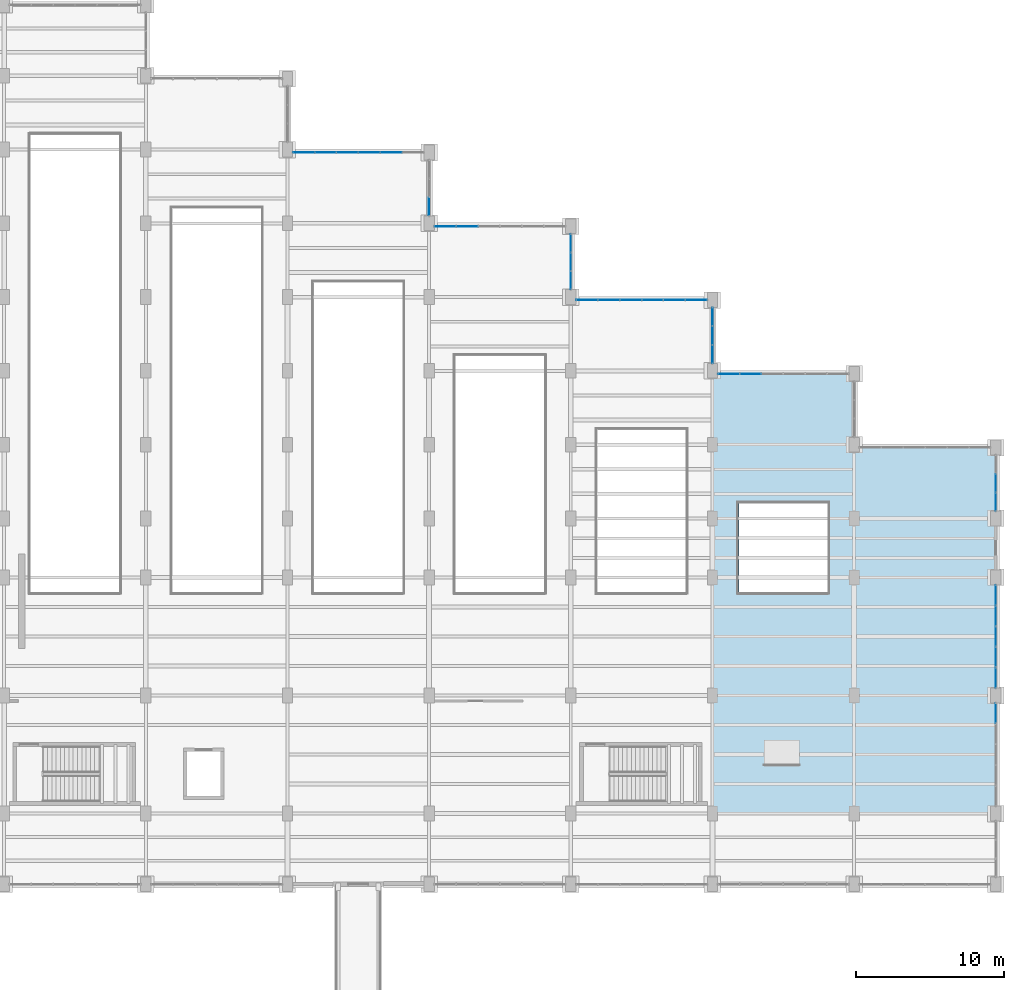
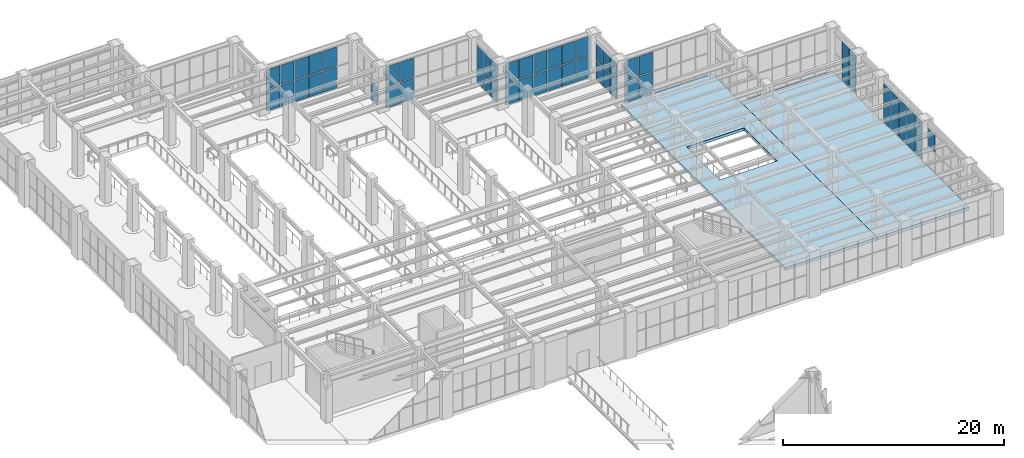
# One storey, part 138 of 174: 58 plates, 2 slabs, 10 elements without a shape of their own.
"""IFC4 building model written with IfcOpenShell, lengths in metres."""

from ifc_helpers import new_model, si_unit, direction, frame, origin, origin_2d, place, context, subcontext, project, spatial, polyline, rectangle, outline, extrude, material, layer, layer_set, type_object, element, aggregate, save


model = new_model("IFC4")

# Units and contexts
model_context = context("Model", 3, precision=1e-05, world=origin(), true_north=direction((0.0, 1.0)))
body_context = subcontext(model_context, "Body", "Model", "MODEL_VIEW")
ifc_project = project(units=[si_unit("LENGTHUNIT", "METRE"), si_unit("AREAUNIT", "SQUARE_METRE"), si_unit("VOLUMEUNIT", "CUBIC_METRE"), si_unit("PLANEANGLEUNIT", "RADIAN"), si_unit("MASSUNIT", "GRAM", prefix="KILO")], contexts=[model_context])

# Site, building, storey
site_placement = place(None, origin())
site = spatial("IfcSite", under=ifc_project, at=site_placement, CompositionType="ELEMENT")
building_placement = place(site_placement, origin())
building = spatial("IfcBuilding", under=site, at=building_placement, Name="Mavantir Sound Aquarium", CompositionType="ELEMENT")
storey_placement = place(building_placement, frame((0.0, 0.0, 5.39990234375)))
storey = spatial("IfcBuildingStorey", under=building, at=storey_placement, Name="L01", CompositionType="ELEMENT", Elevation=5.39990234375)

# Curtain wall, plates
ifc_material_1 = material(Name="Anodised Marine Aluminium and Low-E Glass", Category="aluminium")
curtain_wall_type_1 = type_object("IfcCurtainWallType", Name="CW-T09", PredefinedType="USERDEFINED", material=ifc_material_1)
curtain_wall_1_placement = place(storey_placement, origin())
curtain_wall_1 = element("IfcCurtainWall", 1, at=curtain_wall_1_placement, inside=storey, type_object=curtain_wall_type_1, Name="L01 unitised curtain wall CW-09 81", ObjectType="UNITISED GLAZING", PredefinedType="USERDEFINED")
ifc_material_2 = material(Name="Solar-Control Laminated Low-E Glass", Category="glass")
ifc_layer_1 = layer(ifc_material_2, 0.028076171875, Name="Solar-Control Laminated Low-E Glass")
ifc_layer_set_1 = layer_set([ifc_layer_1], Name="Solar-Control Laminated Low-E Glass")
plate_type_1 = type_object("IfcPlateType", Name="CW-PNL-28", PredefinedType="CURTAIN_PANEL", material=ifc_layer_set_1)
plate_1_placement = place(storey_placement, frame((146.39990234375, 76.938720703125, 0.10302734375), z_axis=(0.0, 0.0, 1.0), x_axis=(0.0, 1.0, 0.0)))
plate_1 = element("IfcPlate", 2, at=plate_1_placement, type_object=plate_type_1, Name="CW-L01-081 glazed curtain panel 1.1", PredefinedType="CURTAIN_PANEL", context=body_context, shape_type="SweptSolid", body=[
    extrude(rectangle(XDim=1.21337890625, YDim=0.028076171875, at=origin_2d()), origin(), (0.0, 0.0, 1.0), 2.072998046875),
])
plate_2_placement = place(storey_placement, frame((146.39990234375, 76.938720703125, 2.27197265625), z_axis=(0.0, 0.0, 1.0), x_axis=(0.0, 1.0, 0.0)))
plate_2 = element("IfcPlate", 3, at=plate_2_placement, type_object=plate_type_1, Name="CW-L01-081 glazed curtain panel 1.2", PredefinedType="CURTAIN_PANEL", context=body_context, shape_type="SweptSolid", body=[
    extrude(rectangle(XDim=1.21337890625, YDim=0.028076171875, at=origin_2d()), origin(), (0.0, 0.0, 1.0), 1.902099609375),
])
plate_3_placement = place(storey_placement, frame((146.39990234375, 78.199951171875, 0.10302734375), z_axis=(0.0, 0.0, 1.0), x_axis=(0.0, 1.0, 0.0)))
plate_3 = element("IfcPlate", 4, at=plate_3_placement, type_object=plate_type_1, Name="CW-L01-081 glazed curtain panel 2.1", PredefinedType="CURTAIN_PANEL", context=body_context, shape_type="SweptSolid", body=[
    extrude(rectangle(XDim=1.21337890625, YDim=0.028076171875, at=origin_2d()), origin(), (0.0, 0.0, 1.0), 2.072998046875),
])
plate_4_placement = place(storey_placement, frame((146.39990234375, 78.199951171875, 2.27197265625), z_axis=(0.0, 0.0, 1.0), x_axis=(0.0, 1.0, 0.0)))
plate_4 = element("IfcPlate", 5, at=plate_4_placement, type_object=plate_type_1, Name="CW-L01-081 glazed curtain panel 2.2", PredefinedType="CURTAIN_PANEL", context=body_context, shape_type="SweptSolid", body=[
    extrude(rectangle(XDim=1.21337890625, YDim=0.028076171875, at=origin_2d()), origin(), (0.0, 0.0, 1.0), 1.902099609375),
])
plate_5_placement = place(storey_placement, frame((146.39990234375, 79.461181640625, 0.10302734375), z_axis=(0.0, 0.0, 1.0), x_axis=(0.0, 1.0, 0.0)))
plate_5 = element("IfcPlate", 6, at=plate_5_placement, type_object=plate_type_1, Name="CW-L01-081 glazed curtain panel 3.1", PredefinedType="CURTAIN_PANEL", context=body_context, shape_type="SweptSolid", body=[
    extrude(rectangle(XDim=1.21337890625, YDim=0.028076171875, at=origin_2d()), origin(), (0.0, 0.0, 1.0), 2.072998046875),
])
plate_6_placement = place(storey_placement, frame((146.39990234375, 79.461181640625, 2.27197265625), z_axis=(0.0, 0.0, 1.0), x_axis=(0.0, 1.0, 0.0)))
plate_6 = element("IfcPlate", 7, at=plate_6_placement, type_object=plate_type_1, Name="CW-L01-081 glazed curtain panel 3.2", PredefinedType="CURTAIN_PANEL", context=body_context, shape_type="SweptSolid", body=[
    extrude(rectangle(XDim=1.21337890625, YDim=0.028076171875, at=origin_2d()), origin(), (0.0, 0.0, 1.0), 1.902099609375),
])
aggregate(curtain_wall_1, [plate_1, plate_2, plate_3, plate_4, plate_5, plate_6])

# Curtain wall, plate
curtain_wall_type_2 = type_object("IfcCurtainWallType", Name="CW-T11", PredefinedType="USERDEFINED", material=ifc_material_1)
curtain_wall_2_placement = place(storey_placement, origin())
curtain_wall_2 = element("IfcCurtainWall", 8, at=curtain_wall_2_placement, inside=storey, type_object=curtain_wall_type_2, Name="L01 unitised curtain wall CW-11 83", ObjectType="UNITISED GLAZING", PredefinedType="USERDEFINED")
plate_7_placement = place(storey_placement, frame((136.800048828125, 81.938720703125, 0.10302734375), z_axis=(0.0, 0.0, 1.0), x_axis=(0.0, 1.0, 0.0)))
plate_7 = element("IfcPlate", 9, at=plate_7_placement, type_object=plate_type_1, Name="CW-L01-083 glazed curtain panel 1.1", PredefinedType="CURTAIN_PANEL", context=body_context, shape_type="SweptSolid", body=[
    extrude(rectangle(XDim=1.21337890625, YDim=0.028076171875, at=origin_2d()), origin(), (0.0, 0.0, 1.0), 1.999267578125),
])
aggregate(curtain_wall_2, [plate_7])

curtain_wall_3_placement = place(storey_placement, origin())
curtain_wall_3 = element("IfcCurtainWall", 10, at=curtain_wall_3_placement, inside=storey, type_object=curtain_wall_type_1, Name="L01 unitised curtain wall CW-09 105", ObjectType="UNITISED GLAZING", PredefinedType="USERDEFINED")
plate_8_placement = place(storey_placement, frame((175.199951171875, 47.593505859375, 2.314697265625), z_axis=(0.0, 0.0, 1.0), x_axis=(0.0, 1.0, 0.0)))
plate_8 = element("IfcPlate", 11, at=plate_8_placement, type_object=plate_type_1, Name="CW-L01-105 glazed curtain panel 5.2", PredefinedType="CURTAIN_PANEL", context=body_context, shape_type="SweptSolid", body=[
    extrude(rectangle(XDim=1.348876953125, YDim=0.028076171875, at=origin_2d()), origin(), (0.0, 0.0, 1.0), 1.94140625),
])
aggregate(curtain_wall_3, [plate_8])

# Curtain wall, plates
curtain_wall_4_placement = place(storey_placement, origin())
curtain_wall_4 = element("IfcCurtainWall", 12, at=curtain_wall_4_placement, inside=storey, type_object=curtain_wall_type_2, Name="L01 unitised curtain wall CW-11 107", ObjectType="UNITISED GLAZING", PredefinedType="USERDEFINED")
plate_9_placement = place(storey_placement, frame((175.199951171875, 61.938720703125, 0.10302734375), z_axis=(0.0, 0.0, 1.0), x_axis=(0.0, 1.0, 0.0)))
plate_9 = element("IfcPlate", 13, at=plate_9_placement, type_object=plate_type_1, Name="CW-L01-107 glazed curtain panel 1.1", PredefinedType="CURTAIN_PANEL", context=body_context, shape_type="SweptSolid", body=[
    extrude(rectangle(XDim=1.21337890625, YDim=0.028076171875, at=origin_2d()), origin(), (0.0, 0.0, 1.0), 2.160888671875),
])
plate_10_placement = place(storey_placement, frame((175.199951171875, 61.938720703125, 2.35986328125), z_axis=(0.0, 0.0, 1.0), x_axis=(0.0, 1.0, 0.0)))
plate_10 = element("IfcPlate", 14, at=plate_10_placement, type_object=plate_type_1, Name="CW-L01-107 glazed curtain panel 1.2", PredefinedType="CURTAIN_PANEL", context=body_context, shape_type="SweptSolid", body=[
    extrude(rectangle(XDim=1.21337890625, YDim=0.028076171875, at=origin_2d()), origin(), (0.0, 0.0, 1.0), 1.983154296875),
])
plate_11_placement = place(storey_placement, frame((175.199951171875, 63.199951171875, 0.10302734375), z_axis=(0.0, 0.0, 1.0), x_axis=(0.0, 1.0, 0.0)))
plate_11 = element("IfcPlate", 15, at=plate_11_placement, type_object=plate_type_1, Name="CW-L01-107 glazed curtain panel 2.1", PredefinedType="CURTAIN_PANEL", context=body_context, shape_type="SweptSolid", body=[
    extrude(rectangle(XDim=1.21337890625, YDim=0.028076171875, at=origin_2d()), origin(), (0.0, 0.0, 1.0), 2.160888671875),
])
plate_12_placement = place(storey_placement, frame((175.199951171875, 63.199951171875, 2.35986328125), z_axis=(0.0, 0.0, 1.0), x_axis=(0.0, 1.0, 0.0)))
plate_12 = element("IfcPlate", 16, at=plate_12_placement, type_object=plate_type_1, Name="CW-L01-107 glazed curtain panel 2.2", PredefinedType="CURTAIN_PANEL", context=body_context, shape_type="SweptSolid", body=[
    extrude(rectangle(XDim=1.21337890625, YDim=0.028076171875, at=origin_2d()), origin(), (0.0, 0.0, 1.0), 1.983154296875),
])
aggregate(curtain_wall_4, [plate_9, plate_10, plate_11, plate_12])

curtain_wall_type_3 = type_object("IfcCurtainWallType", Name="CW-T15", PredefinedType="USERDEFINED", material=ifc_material_1)
curtain_wall_5_placement = place(storey_placement, origin())
curtain_wall_5 = element("IfcCurtainWall", 17, at=curtain_wall_5_placement, inside=storey, type_object=curtain_wall_type_3, Name="L01 unitised curtain wall CW-15 111", ObjectType="UNITISED GLAZING", PredefinedType="USERDEFINED")
plate_13_placement = place(storey_placement, frame((156.0, 71.938720703125, 0.10302734375), z_axis=(0.0, 0.0, 1.0), x_axis=(0.0, 1.0, 0.0)))
plate_13 = element("IfcPlate", 18, at=plate_13_placement, type_object=plate_type_1, Name="CW-L01-111 glazed curtain panel 1.1", PredefinedType="CURTAIN_PANEL", context=body_context, shape_type="SweptSolid", body=[
    extrude(rectangle(XDim=1.21337890625, YDim=0.028076171875, at=origin_2d()), origin(), (0.0, 0.0, 1.0), 1.999267578125),
])
plate_14_placement = place(storey_placement, frame((156.0, 71.938720703125, 2.1982421875), z_axis=(0.0, 0.0, 1.0), x_axis=(0.0, 1.0, 0.0)))
plate_14 = element("IfcPlate", 19, at=plate_14_placement, type_object=plate_type_1, Name="CW-L01-111 glazed curtain panel 1.2", PredefinedType="CURTAIN_PANEL", context=body_context, shape_type="SweptSolid", body=[
    extrude(rectangle(XDim=1.21337890625, YDim=0.028076171875, at=origin_2d()), origin(), (0.0, 0.0, 1.0), 1.833740234375),
])
plate_15_placement = place(storey_placement, frame((156.0, 73.199951171875, 0.10302734375), z_axis=(0.0, 0.0, 1.0), x_axis=(0.0, 1.0, 0.0)))
plate_15 = element("IfcPlate", 20, at=plate_15_placement, type_object=plate_type_1, Name="CW-L01-111 glazed curtain panel 2.1", PredefinedType="CURTAIN_PANEL", context=body_context, shape_type="SweptSolid", body=[
    extrude(rectangle(XDim=1.21337890625, YDim=0.028076171875, at=origin_2d()), origin(), (0.0, 0.0, 1.0), 1.999267578125),
])
plate_16_placement = place(storey_placement, frame((156.0, 73.199951171875, 2.1982421875), z_axis=(0.0, 0.0, 1.0), x_axis=(0.0, 1.0, 0.0)))
plate_16 = element("IfcPlate", 21, at=plate_16_placement, type_object=plate_type_1, Name="CW-L01-111 glazed curtain panel 2.2", PredefinedType="CURTAIN_PANEL", context=body_context, shape_type="SweptSolid", body=[
    extrude(rectangle(XDim=1.21337890625, YDim=0.028076171875, at=origin_2d()), origin(), (0.0, 0.0, 1.0), 1.833740234375),
])
plate_17_placement = place(storey_placement, frame((156.0, 74.461181640625, 0.10302734375), z_axis=(0.0, 0.0, 1.0), x_axis=(0.0, 1.0, 0.0)))
plate_17 = element("IfcPlate", 22, at=plate_17_placement, type_object=plate_type_1, Name="CW-L01-111 glazed curtain panel 3.1", PredefinedType="CURTAIN_PANEL", context=body_context, shape_type="SweptSolid", body=[
    extrude(rectangle(XDim=1.21337890625, YDim=0.028076171875, at=origin_2d()), origin(), (0.0, 0.0, 1.0), 1.999267578125),
])
plate_18_placement = place(storey_placement, frame((156.0, 74.461181640625, 2.1982421875), z_axis=(0.0, 0.0, 1.0), x_axis=(0.0, 1.0, 0.0)))
plate_18 = element("IfcPlate", 23, at=plate_18_placement, type_object=plate_type_1, Name="CW-L01-111 glazed curtain panel 3.2", PredefinedType="CURTAIN_PANEL", context=body_context, shape_type="SweptSolid", body=[
    extrude(rectangle(XDim=1.21337890625, YDim=0.028076171875, at=origin_2d()), origin(), (0.0, 0.0, 1.0), 1.833740234375),
])
aggregate(curtain_wall_5, [plate_13, plate_14, plate_15, plate_16, plate_17, plate_18])

curtain_wall_type_4 = type_object("IfcCurtainWallType", Name="CW-T10", PredefinedType="USERDEFINED", material=ifc_material_1)
curtain_wall_6_placement = place(storey_placement, origin())
curtain_wall_6 = element("IfcCurtainWall", 24, at=curtain_wall_6_placement, inside=storey, type_object=curtain_wall_type_4, Name="L01 unitised curtain wall CW-10 82", ObjectType="UNITISED GLAZING", PredefinedType="USERDEFINED")
ifc_layer_2 = layer(ifc_material_2, 0.031982421875, Name="Solar-Control Laminated Low-E Glass")
ifc_layer_set_2 = layer_set([ifc_layer_2], Name="Solar-Control Laminated Low-E Glass")
plate_type_2 = type_object("IfcPlateType", Name="CW-PNL-32", PredefinedType="CURTAIN_PANEL", material=ifc_layer_set_2)
plate_19_placement = place(storey_placement, frame((139.37890625, 80.60009765625, 0.10302734375), z_axis=(0.0, 0.0, 1.0), x_axis=(-1.0, 0.0, 0.0)))
plate_19 = element("IfcPlate", 25, at=plate_19_placement, type_object=plate_type_2, Name="CW-L01-082 glazed curtain panel 5.1", PredefinedType="CURTAIN_PANEL", context=body_context, shape_type="SweptSolid", body=[
    extrude(rectangle(XDim=1.4326171875, YDim=0.031982421875, at=origin_2d()), origin(), (0.0, 0.0, 1.0), 2.32421875),
])
plate_20_placement = place(storey_placement, frame((139.37890625, 80.60009765625, 2.523193359375), z_axis=(0.0, 0.0, 1.0), x_axis=(-1.0, 0.0, 0.0)))
plate_20 = element("IfcPlate", 26, at=plate_20_placement, type_object=plate_type_2, Name="CW-L01-082 glazed curtain panel 5.2", PredefinedType="CURTAIN_PANEL", context=body_context, shape_type="SweptSolid", body=[
    extrude(rectangle(XDim=1.4326171875, YDim=0.031982421875, at=origin_2d()), origin(), (0.0, 0.0, 1.0), 2.1337890625),
])
plate_21_placement = place(storey_placement, frame((137.898193359375, 80.60009765625, 0.10302734375), z_axis=(0.0, 0.0, 1.0), x_axis=(-1.0, 0.0, 0.0)))
plate_21 = element("IfcPlate", 27, at=plate_21_placement, type_object=plate_type_2, Name="CW-L01-082 glazed curtain panel 6.1", PredefinedType="CURTAIN_PANEL", context=body_context, shape_type="SweptSolid", body=[
    extrude(rectangle(XDim=1.4326171875, YDim=0.031982421875, at=origin_2d()), origin(), (0.0, 0.0, 1.0), 2.32421875),
])
plate_22_placement = place(storey_placement, frame((137.898193359375, 80.60009765625, 2.523193359375), z_axis=(0.0, 0.0, 1.0), x_axis=(-1.0, 0.0, 0.0)))
plate_22 = element("IfcPlate", 28, at=plate_22_placement, type_object=plate_type_2, Name="CW-L01-082 glazed curtain panel 6.2", PredefinedType="CURTAIN_PANEL", context=body_context, shape_type="SweptSolid", body=[
    extrude(rectangle(XDim=1.4326171875, YDim=0.031982421875, at=origin_2d()), origin(), (0.0, 0.0, 1.0), 2.1337890625),
])
aggregate(curtain_wall_6, [plate_19, plate_20, plate_21, plate_22])

curtain_wall_type_5 = type_object("IfcCurtainWallType", Name="CW-T12", PredefinedType="USERDEFINED", material=ifc_material_1)
curtain_wall_7_placement = place(storey_placement, origin())
curtain_wall_7 = element("IfcCurtainWall", 29, at=curtain_wall_7_placement, inside=storey, type_object=curtain_wall_type_5, Name="L01 unitised curtain wall CW-12 84", ObjectType="UNITISED GLAZING", PredefinedType="USERDEFINED")
plate_23_placement = place(storey_placement, frame((134.220947265625, 85.60009765625, 0.10302734375), z_axis=(0.0, 0.0, 1.0), x_axis=(-1.0, 0.0, 0.0)))
plate_23 = element("IfcPlate", 30, at=plate_23_placement, type_object=plate_type_2, Name="CW-L01-084 glazed curtain panel 2.1", PredefinedType="CURTAIN_PANEL", context=body_context, shape_type="SweptSolid", body=[
    extrude(rectangle(XDim=1.4326171875, YDim=0.031982421875, at=origin_2d()), origin(), (0.0, 0.0, 1.0), 2.32421875),
])
plate_24_placement = place(storey_placement, frame((134.220947265625, 85.60009765625, 2.523193359375), z_axis=(0.0, 0.0, 1.0), x_axis=(-1.0, 0.0, 0.0)))
plate_24 = element("IfcPlate", 31, at=plate_24_placement, type_object=plate_type_2, Name="CW-L01-084 glazed curtain panel 2.2", PredefinedType="CURTAIN_PANEL", context=body_context, shape_type="SweptSolid", body=[
    extrude(rectangle(XDim=1.4326171875, YDim=0.031982421875, at=origin_2d()), origin(), (0.0, 0.0, 1.0), 2.1337890625),
])
plate_25_placement = place(storey_placement, frame((132.740234375, 85.60009765625, 0.10302734375), z_axis=(0.0, 0.0, 1.0), x_axis=(-1.0, 0.0, 0.0)))
plate_25 = element("IfcPlate", 32, at=plate_25_placement, type_object=plate_type_2, Name="CW-L01-084 glazed curtain panel 3.1", PredefinedType="CURTAIN_PANEL", context=body_context, shape_type="SweptSolid", body=[
    extrude(rectangle(XDim=1.4326171875, YDim=0.031982421875, at=origin_2d()), origin(), (0.0, 0.0, 1.0), 2.32421875),
])
plate_26_placement = place(storey_placement, frame((132.740234375, 85.60009765625, 2.523193359375), z_axis=(0.0, 0.0, 1.0), x_axis=(-1.0, 0.0, 0.0)))
plate_26 = element("IfcPlate", 33, at=plate_26_placement, type_object=plate_type_2, Name="CW-L01-084 glazed curtain panel 3.2", PredefinedType="CURTAIN_PANEL", context=body_context, shape_type="SweptSolid", body=[
    extrude(rectangle(XDim=1.4326171875, YDim=0.031982421875, at=origin_2d()), origin(), (0.0, 0.0, 1.0), 2.1337890625),
])
plate_27_placement = place(storey_placement, frame((131.259765625, 85.60009765625, 0.10302734375), z_axis=(0.0, 0.0, 1.0), x_axis=(-1.0, 0.0, 0.0)))
plate_27 = element("IfcPlate", 34, at=plate_27_placement, type_object=plate_type_2, Name="CW-L01-084 glazed curtain panel 4.1", PredefinedType="CURTAIN_PANEL", context=body_context, shape_type="SweptSolid", body=[
    extrude(rectangle(XDim=1.4326171875, YDim=0.031982421875, at=origin_2d()), origin(), (0.0, 0.0, 1.0), 2.32421875),
])
plate_28_placement = place(storey_placement, frame((131.259765625, 85.60009765625, 2.523193359375), z_axis=(0.0, 0.0, 1.0), x_axis=(-1.0, 0.0, 0.0)))
plate_28 = element("IfcPlate", 35, at=plate_28_placement, type_object=plate_type_2, Name="CW-L01-084 glazed curtain panel 4.2", PredefinedType="CURTAIN_PANEL", context=body_context, shape_type="SweptSolid", body=[
    extrude(rectangle(XDim=1.4326171875, YDim=0.031982421875, at=origin_2d()), origin(), (0.0, 0.0, 1.0), 2.1337890625),
])
plate_29_placement = place(storey_placement, frame((129.779052734375, 85.60009765625, 0.10302734375), z_axis=(0.0, 0.0, 1.0), x_axis=(-1.0, 0.0, 0.0)))
plate_29 = element("IfcPlate", 36, at=plate_29_placement, type_object=plate_type_2, Name="CW-L01-084 glazed curtain panel 5.1", PredefinedType="CURTAIN_PANEL", context=body_context, shape_type="SweptSolid", body=[
    extrude(rectangle(XDim=1.4326171875, YDim=0.031982421875, at=origin_2d()), origin(), (0.0, 0.0, 1.0), 2.32421875),
])
plate_30_placement = place(storey_placement, frame((129.779052734375, 85.60009765625, 2.523193359375), z_axis=(0.0, 0.0, 1.0), x_axis=(-1.0, 0.0, 0.0)))
plate_30 = element("IfcPlate", 37, at=plate_30_placement, type_object=plate_type_2, Name="CW-L01-084 glazed curtain panel 5.2", PredefinedType="CURTAIN_PANEL", context=body_context, shape_type="SweptSolid", body=[
    extrude(rectangle(XDim=1.4326171875, YDim=0.031982421875, at=origin_2d()), origin(), (0.0, 0.0, 1.0), 2.1337890625),
])
plate_31_placement = place(storey_placement, frame((128.29833984375, 85.60009765625, 0.10302734375), z_axis=(0.0, 0.0, 1.0), x_axis=(-1.0, 0.0, 0.0)))
plate_31 = element("IfcPlate", 38, at=plate_31_placement, type_object=plate_type_2, Name="CW-L01-084 glazed curtain panel 6.1", PredefinedType="CURTAIN_PANEL", context=body_context, shape_type="SweptSolid", body=[
    extrude(rectangle(XDim=1.4326171875, YDim=0.031982421875, at=origin_2d()), origin(), (0.0, 0.0, 1.0), 2.32421875),
])
plate_32_placement = place(storey_placement, frame((128.29833984375, 85.60009765625, 2.523193359375), z_axis=(0.0, 0.0, 1.0), x_axis=(-1.0, 0.0, 0.0)))
plate_32 = element("IfcPlate", 39, at=plate_32_placement, type_object=plate_type_2, Name="CW-L01-084 glazed curtain panel 6.2", PredefinedType="CURTAIN_PANEL", context=body_context, shape_type="SweptSolid", body=[
    extrude(rectangle(XDim=1.4326171875, YDim=0.031982421875, at=origin_2d()), origin(), (0.0, 0.0, 1.0), 2.1337890625),
])
aggregate(curtain_wall_7, [plate_23, plate_24, plate_25, plate_26, plate_27, plate_28, plate_29, plate_30, plate_31, plate_32])

curtain_wall_8_placement = place(storey_placement, origin())
curtain_wall_8 = element("IfcCurtainWall", 40, at=curtain_wall_8_placement, inside=storey, type_object=curtain_wall_type_4, Name="L01 unitised curtain wall CW-10 106", ObjectType="UNITISED GLAZING", PredefinedType="USERDEFINED")
plate_33_placement = place(storey_placement, frame((175.199951171875, 50.00634765625, 0.10302734375), z_axis=(0.0, 0.0, 1.0), x_axis=(0.0, 1.0, 0.0)))
plate_33 = element("IfcPlate", 41, at=plate_33_placement, type_object=plate_type_2, Name="CW-L01-106 glazed curtain panel 1.1", PredefinedType="CURTAIN_PANEL", context=body_context, shape_type="SweptSolid", body=[
    extrude(rectangle(XDim=1.348876953125, YDim=0.031982421875, at=origin_2d()), origin(), (0.0, 0.0, 1.0), 2.11572265625),
])
plate_34_placement = place(storey_placement, frame((175.199951171875, 50.00634765625, 2.314697265625), z_axis=(0.0, 0.0, 1.0), x_axis=(0.0, 1.0, 0.0)))
plate_34 = element("IfcPlate", 42, at=plate_34_placement, type_object=plate_type_2, Name="CW-L01-106 glazed curtain panel 1.2", PredefinedType="CURTAIN_PANEL", context=body_context, shape_type="SweptSolid", body=[
    extrude(rectangle(XDim=1.348876953125, YDim=0.031982421875, at=origin_2d()), origin(), (0.0, 0.0, 1.0), 1.94140625),
])
plate_35_placement = place(storey_placement, frame((175.199951171875, 51.4033203125, 0.10302734375), z_axis=(0.0, 0.0, 1.0), x_axis=(0.0, 1.0, 0.0)))
plate_35 = element("IfcPlate", 43, at=plate_35_placement, type_object=plate_type_2, Name="CW-L01-106 glazed curtain panel 2.1", PredefinedType="CURTAIN_PANEL", context=body_context, shape_type="SweptSolid", body=[
    extrude(rectangle(XDim=1.348876953125, YDim=0.031982421875, at=origin_2d()), origin(), (0.0, 0.0, 1.0), 2.11572265625),
])
plate_36_placement = place(storey_placement, frame((175.199951171875, 51.4033203125, 2.314697265625), z_axis=(0.0, 0.0, 1.0), x_axis=(0.0, 1.0, 0.0)))
plate_36 = element("IfcPlate", 44, at=plate_36_placement, type_object=plate_type_2, Name="CW-L01-106 glazed curtain panel 2.2", PredefinedType="CURTAIN_PANEL", context=body_context, shape_type="SweptSolid", body=[
    extrude(rectangle(XDim=1.348876953125, YDim=0.031982421875, at=origin_2d()), origin(), (0.0, 0.0, 1.0), 1.94140625),
])
plate_37_placement = place(storey_placement, frame((175.199951171875, 52.800048828125, 0.10302734375), z_axis=(0.0, 0.0, 1.0), x_axis=(0.0, 1.0, 0.0)))
plate_37 = element("IfcPlate", 45, at=plate_37_placement, type_object=plate_type_2, Name="CW-L01-106 glazed curtain panel 3.1", PredefinedType="CURTAIN_PANEL", context=body_context, shape_type="SweptSolid", body=[
    extrude(rectangle(XDim=1.348876953125, YDim=0.031982421875, at=origin_2d()), origin(), (0.0, 0.0, 1.0), 2.11572265625),
])
plate_38_placement = place(storey_placement, frame((175.199951171875, 52.800048828125, 2.314697265625), z_axis=(0.0, 0.0, 1.0), x_axis=(0.0, 1.0, 0.0)))
plate_38 = element("IfcPlate", 46, at=plate_38_placement, type_object=plate_type_2, Name="CW-L01-106 glazed curtain panel 3.2", PredefinedType="CURTAIN_PANEL", context=body_context, shape_type="SweptSolid", body=[
    extrude(rectangle(XDim=1.348876953125, YDim=0.031982421875, at=origin_2d()), origin(), (0.0, 0.0, 1.0), 1.94140625),
])
plate_39_placement = place(storey_placement, frame((175.199951171875, 54.19677734375, 0.10302734375), z_axis=(0.0, 0.0, 1.0), x_axis=(0.0, 1.0, 0.0)))
plate_39 = element("IfcPlate", 47, at=plate_39_placement, type_object=plate_type_2, Name="CW-L01-106 glazed curtain panel 4.1", PredefinedType="CURTAIN_PANEL", context=body_context, shape_type="SweptSolid", body=[
    extrude(rectangle(XDim=1.348876953125, YDim=0.031982421875, at=origin_2d()), origin(), (0.0, 0.0, 1.0), 2.11572265625),
])
plate_40_placement = place(storey_placement, frame((175.199951171875, 54.19677734375, 2.314697265625), z_axis=(0.0, 0.0, 1.0), x_axis=(0.0, 1.0, 0.0)))
plate_40 = element("IfcPlate", 48, at=plate_40_placement, type_object=plate_type_2, Name="CW-L01-106 glazed curtain panel 4.2", PredefinedType="CURTAIN_PANEL", context=body_context, shape_type="SweptSolid", body=[
    extrude(rectangle(XDim=1.348876953125, YDim=0.031982421875, at=origin_2d()), origin(), (0.0, 0.0, 1.0), 1.94140625),
])
plate_41_placement = place(storey_placement, frame((175.199951171875, 55.593505859375, 0.10302734375), z_axis=(0.0, 0.0, 1.0), x_axis=(0.0, 1.0, 0.0)))
plate_41 = element("IfcPlate", 49, at=plate_41_placement, type_object=plate_type_2, Name="CW-L01-106 glazed curtain panel 5.1", PredefinedType="CURTAIN_PANEL", context=body_context, shape_type="SweptSolid", body=[
    extrude(rectangle(XDim=1.348876953125, YDim=0.031982421875, at=origin_2d()), origin(), (0.0, 0.0, 1.0), 2.11572265625),
])
plate_42_placement = place(storey_placement, frame((175.199951171875, 55.593505859375, 2.314697265625), z_axis=(0.0, 0.0, 1.0), x_axis=(0.0, 1.0, 0.0)))
plate_42 = element("IfcPlate", 50, at=plate_42_placement, type_object=plate_type_2, Name="CW-L01-106 glazed curtain panel 5.2", PredefinedType="CURTAIN_PANEL", context=body_context, shape_type="SweptSolid", body=[
    extrude(rectangle(XDim=1.348876953125, YDim=0.031982421875, at=origin_2d()), origin(), (0.0, 0.0, 1.0), 1.94140625),
])
aggregate(curtain_wall_8, [plate_33, plate_34, plate_35, plate_36, plate_37, plate_38, plate_39, plate_40, plate_41, plate_42])

curtain_wall_type_6 = type_object("IfcCurtainWallType", Name="CW-T14", PredefinedType="USERDEFINED", material=ifc_material_1)
curtain_wall_9_placement = place(storey_placement, origin())
curtain_wall_9 = element("IfcCurtainWall", 51, at=curtain_wall_9_placement, inside=storey, type_object=curtain_wall_type_6, Name="L01 unitised curtain wall CW-14 110", ObjectType="UNITISED GLAZING", PredefinedType="USERDEFINED")
plate_43_placement = place(storey_placement, frame((158.5791015625, 70.60009765625, 0.10302734375), z_axis=(0.0, 0.0, 1.0), x_axis=(-1.0, 0.0, 0.0)))
plate_43 = element("IfcPlate", 52, at=plate_43_placement, type_object=plate_type_2, Name="CW-L01-110 glazed curtain panel 5.1", PredefinedType="CURTAIN_PANEL", context=body_context, shape_type="SweptSolid", body=[
    extrude(rectangle(XDim=1.4326171875, YDim=0.031982421875, at=origin_2d()), origin(), (0.0, 0.0, 1.0), 2.32421875),
])
plate_44_placement = place(storey_placement, frame((158.5791015625, 70.60009765625, 2.523193359375), z_axis=(0.0, 0.0, 1.0), x_axis=(-1.0, 0.0, 0.0)))
plate_44 = element("IfcPlate", 53, at=plate_44_placement, type_object=plate_type_2, Name="CW-L01-110 glazed curtain panel 5.2", PredefinedType="CURTAIN_PANEL", context=body_context, shape_type="SweptSolid", body=[
    extrude(rectangle(XDim=1.4326171875, YDim=0.031982421875, at=origin_2d()), origin(), (0.0, 0.0, 1.0), 2.1337890625),
])
plate_45_placement = place(storey_placement, frame((157.098388671875, 70.60009765625, 0.10302734375), z_axis=(0.0, 0.0, 1.0), x_axis=(-1.0, 0.0, 0.0)))
plate_45 = element("IfcPlate", 54, at=plate_45_placement, type_object=plate_type_2, Name="CW-L01-110 glazed curtain panel 6.1", PredefinedType="CURTAIN_PANEL", context=body_context, shape_type="SweptSolid", body=[
    extrude(rectangle(XDim=1.4326171875, YDim=0.031982421875, at=origin_2d()), origin(), (0.0, 0.0, 1.0), 2.32421875),
])
plate_46_placement = place(storey_placement, frame((157.098388671875, 70.60009765625, 2.523193359375), z_axis=(0.0, 0.0, 1.0), x_axis=(-1.0, 0.0, 0.0)))
plate_46 = element("IfcPlate", 55, at=plate_46_placement, type_object=plate_type_2, Name="CW-L01-110 glazed curtain panel 6.2", PredefinedType="CURTAIN_PANEL", context=body_context, shape_type="SweptSolid", body=[
    extrude(rectangle(XDim=1.4326171875, YDim=0.031982421875, at=origin_2d()), origin(), (0.0, 0.0, 1.0), 2.1337890625),
])
aggregate(curtain_wall_9, [plate_43, plate_44, plate_45, plate_46])

curtain_wall_type_7 = type_object("IfcCurtainWallType", Name="CW-T16", PredefinedType="USERDEFINED", material=ifc_material_1)
curtain_wall_10_placement = place(storey_placement, origin())
curtain_wall_10 = element("IfcCurtainWall", 56, at=curtain_wall_10_placement, inside=storey, type_object=curtain_wall_type_7, Name="L01 unitised curtain wall CW-16 112", ObjectType="UNITISED GLAZING", PredefinedType="USERDEFINED")
plate_47_placement = place(storey_placement, frame((154.901611328125, 75.60009765625, 0.10302734375), z_axis=(0.0, 0.0, 1.0), x_axis=(-1.0, 0.0, 0.0)))
plate_47 = element("IfcPlate", 57, at=plate_47_placement, type_object=plate_type_2, Name="CW-L01-112 glazed curtain panel 1.1", PredefinedType="CURTAIN_PANEL", context=body_context, shape_type="SweptSolid", body=[
    extrude(rectangle(XDim=1.4326171875, YDim=0.031982421875, at=origin_2d()), origin(), (0.0, 0.0, 1.0), 2.32421875),
])
plate_48_placement = place(storey_placement, frame((154.901611328125, 75.60009765625, 2.523193359375), z_axis=(0.0, 0.0, 1.0), x_axis=(-1.0, 0.0, 0.0)))
plate_48 = element("IfcPlate", 58, at=plate_48_placement, type_object=plate_type_2, Name="CW-L01-112 glazed curtain panel 1.2", PredefinedType="CURTAIN_PANEL", context=body_context, shape_type="SweptSolid", body=[
    extrude(rectangle(XDim=1.4326171875, YDim=0.031982421875, at=origin_2d()), origin(), (0.0, 0.0, 1.0), 2.1337890625),
])
plate_49_placement = place(storey_placement, frame((153.4208984375, 75.60009765625, 0.10302734375), z_axis=(0.0, 0.0, 1.0), x_axis=(-1.0, 0.0, 0.0)))
plate_49 = element("IfcPlate", 59, at=plate_49_placement, type_object=plate_type_2, Name="CW-L01-112 glazed curtain panel 2.1", PredefinedType="CURTAIN_PANEL", context=body_context, shape_type="SweptSolid", body=[
    extrude(rectangle(XDim=1.4326171875, YDim=0.031982421875, at=origin_2d()), origin(), (0.0, 0.0, 1.0), 2.32421875),
])
plate_50_placement = place(storey_placement, frame((153.4208984375, 75.60009765625, 2.523193359375), z_axis=(0.0, 0.0, 1.0), x_axis=(-1.0, 0.0, 0.0)))
plate_50 = element("IfcPlate", 60, at=plate_50_placement, type_object=plate_type_2, Name="CW-L01-112 glazed curtain panel 2.2", PredefinedType="CURTAIN_PANEL", context=body_context, shape_type="SweptSolid", body=[
    extrude(rectangle(XDim=1.4326171875, YDim=0.031982421875, at=origin_2d()), origin(), (0.0, 0.0, 1.0), 2.1337890625),
])
plate_51_placement = place(storey_placement, frame((151.940185546875, 75.60009765625, 0.10302734375), z_axis=(0.0, 0.0, 1.0), x_axis=(-1.0, 0.0, 0.0)))
plate_51 = element("IfcPlate", 61, at=plate_51_placement, type_object=plate_type_2, Name="CW-L01-112 glazed curtain panel 3.1", PredefinedType="CURTAIN_PANEL", context=body_context, shape_type="SweptSolid", body=[
    extrude(rectangle(XDim=1.4326171875, YDim=0.031982421875, at=origin_2d()), origin(), (0.0, 0.0, 1.0), 2.32421875),
])
plate_52_placement = place(storey_placement, frame((151.940185546875, 75.60009765625, 2.523193359375), z_axis=(0.0, 0.0, 1.0), x_axis=(-1.0, 0.0, 0.0)))
plate_52 = element("IfcPlate", 62, at=plate_52_placement, type_object=plate_type_2, Name="CW-L01-112 glazed curtain panel 3.2", PredefinedType="CURTAIN_PANEL", context=body_context, shape_type="SweptSolid", body=[
    extrude(rectangle(XDim=1.4326171875, YDim=0.031982421875, at=origin_2d()), origin(), (0.0, 0.0, 1.0), 2.1337890625),
])
plate_53_placement = place(storey_placement, frame((150.459716796875, 75.60009765625, 0.10302734375), z_axis=(0.0, 0.0, 1.0), x_axis=(-1.0, 0.0, 0.0)))
plate_53 = element("IfcPlate", 63, at=plate_53_placement, type_object=plate_type_2, Name="CW-L01-112 glazed curtain panel 4.1", PredefinedType="CURTAIN_PANEL", context=body_context, shape_type="SweptSolid", body=[
    extrude(rectangle(XDim=1.4326171875, YDim=0.031982421875, at=origin_2d()), origin(), (0.0, 0.0, 1.0), 2.32421875),
])
plate_54_placement = place(storey_placement, frame((150.459716796875, 75.60009765625, 2.523193359375), z_axis=(0.0, 0.0, 1.0), x_axis=(-1.0, 0.0, 0.0)))
plate_54 = element("IfcPlate", 64, at=plate_54_placement, type_object=plate_type_2, Name="CW-L01-112 glazed curtain panel 4.2", PredefinedType="CURTAIN_PANEL", context=body_context, shape_type="SweptSolid", body=[
    extrude(rectangle(XDim=1.4326171875, YDim=0.031982421875, at=origin_2d()), origin(), (0.0, 0.0, 1.0), 2.1337890625),
])
plate_55_placement = place(storey_placement, frame((148.97900390625, 75.60009765625, 0.10302734375), z_axis=(0.0, 0.0, 1.0), x_axis=(-1.0, 0.0, 0.0)))
plate_55 = element("IfcPlate", 65, at=plate_55_placement, type_object=plate_type_2, Name="CW-L01-112 glazed curtain panel 5.1", PredefinedType="CURTAIN_PANEL", context=body_context, shape_type="SweptSolid", body=[
    extrude(rectangle(XDim=1.4326171875, YDim=0.031982421875, at=origin_2d()), origin(), (0.0, 0.0, 1.0), 2.32421875),
])
plate_56_placement = place(storey_placement, frame((148.97900390625, 75.60009765625, 2.523193359375), z_axis=(0.0, 0.0, 1.0), x_axis=(-1.0, 0.0, 0.0)))
plate_56 = element("IfcPlate", 66, at=plate_56_placement, type_object=plate_type_2, Name="CW-L01-112 glazed curtain panel 5.2", PredefinedType="CURTAIN_PANEL", context=body_context, shape_type="SweptSolid", body=[
    extrude(rectangle(XDim=1.4326171875, YDim=0.031982421875, at=origin_2d()), origin(), (0.0, 0.0, 1.0), 2.1337890625),
])
plate_57_placement = place(storey_placement, frame((147.498291015625, 75.60009765625, 0.10302734375), z_axis=(0.0, 0.0, 1.0), x_axis=(-1.0, 0.0, 0.0)))
plate_57 = element("IfcPlate", 67, at=plate_57_placement, type_object=plate_type_2, Name="CW-L01-112 glazed curtain panel 6.1", PredefinedType="CURTAIN_PANEL", context=body_context, shape_type="SweptSolid", body=[
    extrude(rectangle(XDim=1.4326171875, YDim=0.031982421875, at=origin_2d()), origin(), (0.0, 0.0, 1.0), 2.32421875),
])
plate_58_placement = place(storey_placement, frame((147.498291015625, 75.60009765625, 2.523193359375), z_axis=(0.0, 0.0, 1.0), x_axis=(-1.0, 0.0, 0.0)))
plate_58 = element("IfcPlate", 68, at=plate_58_placement, type_object=plate_type_2, Name="CW-L01-112 glazed curtain panel 6.2", PredefinedType="CURTAIN_PANEL", context=body_context, shape_type="SweptSolid", body=[
    extrude(rectangle(XDim=1.4326171875, YDim=0.031982421875, at=origin_2d()), origin(), (0.0, 0.0, 1.0), 2.1337890625),
])
aggregate(curtain_wall_10, [plate_47, plate_48, plate_49, plate_50, plate_51, plate_52, plate_53, plate_54, plate_55, plate_56, plate_57, plate_58])

# Slabs
ifc_material_3 = material(Name="Concrete C40/50", Category="concrete")
ifc_layer_3 = layer(ifc_material_3, 0.330078125, Name="Concrete C40/50")
ifc_layer_set_3 = layer_set([ifc_layer_3], Name="Concrete C40/50")
slab_type_1 = type_object("IfcSlabType", Name="SLB-FS-05", PredefinedType="FLOOR", material=ifc_layer_set_3)
slab_1_placement = place(storey_placement, frame((0.0, 0.0, -0.329833984375)))
element("IfcSlab", 69, at=slab_1_placement, inside=storey, type_object=slab_type_1, Name="L01 structural slab FS-05 (V4)", PredefinedType="FLOOR", context=body_context, shape_type="SweptSolid", body=[
    extrude(outline(polyline([(175.199951171875, 40.800048828125), (175.199951171875, 65.60009765625), (165.60009765625, 65.60009765625), (165.60009765625, 40.800048828125), (175.199951171875, 40.800048828125)])), origin(), (0.0, 0.0, 1.0), 0.329833984375),
])
ifc_layer_4 = layer(ifc_material_3, 0.31005859375, Name="Concrete C40/50")
ifc_layer_set_4 = layer_set([ifc_layer_4], Name="Concrete C40/50")
slab_type_2 = type_object("IfcSlabType", Name="SLB-FS-07", PredefinedType="FLOOR", material=ifc_layer_set_4)
slab_2_placement = place(storey_placement, frame((0.0, 0.0, -0.309814453125)))
element("IfcSlab", 70, at=slab_2_placement, inside=storey, type_object=slab_type_2, Name="L01 structural slab FS-07 (V4)", PredefinedType="FLOOR", context=body_context, shape_type="SweptSolid", body=[
    extrude(outline(polyline([(165.60009765625, 40.800048828125), (165.60009765625, 70.60009765625), (156.0, 70.60009765625), (156.0, 40.800048828125), (165.60009765625, 40.800048828125)]), holes=[polyline([(157.800048828125, 55.800048828125), (163.800048828125, 55.800048828125), (163.800048828125, 61.800048828125), (157.800048828125, 61.800048828125), (157.800048828125, 55.800048828125)])]), origin(), (0.0, 0.0, 1.0), 0.309814453125),
])

save(model, "model.ifc")
